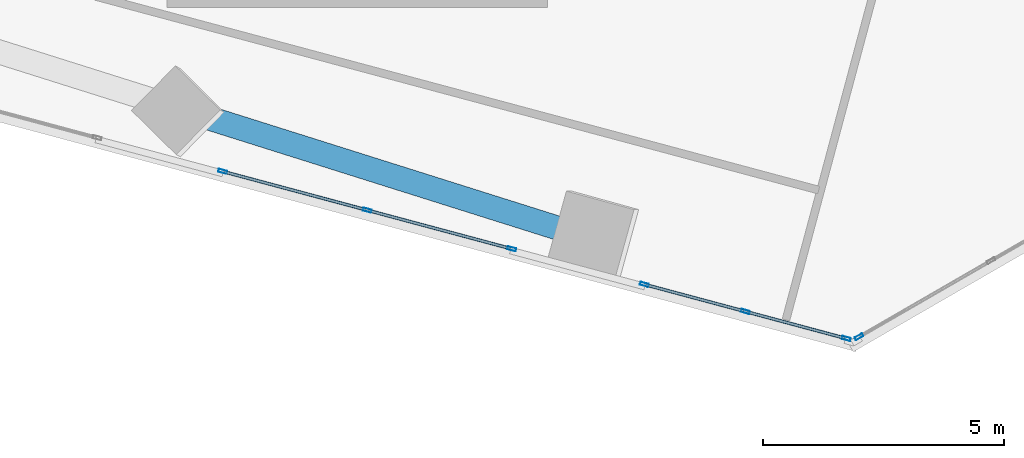
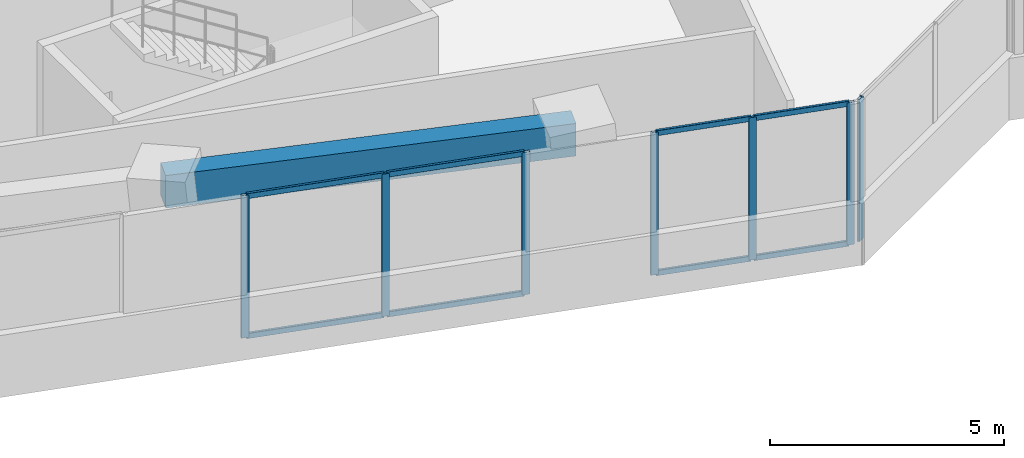
# One storey, part 5 of 27: 15 members, 1 beam, 3 elements without a shape of their own.
"""IFC4 building model written with IfcOpenShell, lengths in metres."""

from ifc_helpers import new_model, si_unit, direction, frame, origin, origin_2d, place, context, subcontext, project, spatial, rectangle, hollow_rectangle, extrude, source, transform, mapped, material, material_profile, profile_set, type_object, element, aggregate, save


model = new_model("IFC4")

# Units and contexts
model_context = context("Model", 3, precision=1e-05, world=origin(), true_north=direction((0.0, 1.0)))
body_context = subcontext(model_context, "Body", "Model", "MODEL_VIEW")
ifc_project = project(units=[si_unit("LENGTHUNIT", "METRE"), si_unit("AREAUNIT", "SQUARE_METRE"), si_unit("VOLUMEUNIT", "CUBIC_METRE"), si_unit("PLANEANGLEUNIT", "RADIAN"), si_unit("MASSUNIT", "GRAM", prefix="KILO")], contexts=[model_context])

# Site, building, storey
site_placement = place(None, origin())
site = spatial("IfcSite", under=ifc_project, at=site_placement, CompositionType="ELEMENT")
building_placement = place(site_placement, origin())
building = spatial("IfcBuilding", under=site, at=building_placement, Name="Torre Montelarca", CompositionType="ELEMENT")
storey_placement = place(building_placement, frame((0.0, 0.0, 108.39990234375)))
storey = spatial("IfcBuildingStorey", under=building, at=storey_placement, Name="L24", CompositionType="ELEMENT", Elevation=108.39990234375)

# Beam
ifc_material_1 = material(Name="Concrete C55/67", Category="concrete")
ifc_material_profile_1 = material_profile(ifc_material_1, rectangle(XDim=0.5, YDim=0.85009765625, at=origin_2d()), Name="RCB500X850", Category="concrete")
ifc_profile_set_1 = profile_set([ifc_material_profile_1], Name="Concrete C55/67")
beam_type = type_object("IfcBeamType", Name="BM-SP-RC850-EXT", PredefinedType="SPANDREL", material=ifc_profile_set_1)
shared_shape_1 = source(origin(), body_context, "Body", "SweptSolid", [
    extrude(rectangle(XDim=0.5, YDim=0.85009765625, at=origin_2d()), origin(), (0.0, 0.0, 1.0), 8.999755859375),
])
beam_placement = place(storey_placement, frame((12.989990234375, 16.6484375, 3.53515625), z_axis=(0.953716635826, -0.300706798308, 0.0), x_axis=(0.300706798308, 0.953716635826, 0.0)))
element("IfcBeam", 1, at=beam_placement, inside=storey, type_object=beam_type, Name="L24 Grid Girder X 18.0-27.0 at Y=14.8", PredefinedType="SPANDREL", context=body_context, shape_type="MappedRepresentation", body=[
    mapped(shared_shape_1, transform((0.0, 0.0, 0.0), scale=1.0)),
])

# Curtain wall, members
ifc_material_2 = material(Name="Insulated low-E laminated glass", Category="glass")
curtain_wall_type = type_object("IfcCurtainWallType", Name="CW-SYS-Z1", PredefinedType="USERDEFINED", material=ifc_material_2)
curtain_wall_1_placement = place(storey_placement, origin())
curtain_wall_1 = element("IfcCurtainWall", 2, at=curtain_wall_1_placement, inside=storey, type_object=curtain_wall_type, Name="L24 Curtain Wall Run CW-T3-L24-E01-B2", ObjectType="UNITISED GLAZING", PredefinedType="USERDEFINED")
ifc_material_3 = material(Name="Anodised aluminium AA 6063-T6", Category="aluminium")
ifc_material_profile_2 = material_profile(ifc_material_3, hollow_rectangle(XDim=0.06494140625, YDim=0.139892578125, WallThickness=0.00390625, InnerFilletRadius=0.00390625, OuterFilletRadius=0.008056640625, at=origin_2d()), Name="ALU65X140X4", Category="aluminium")
ifc_profile_set_2 = profile_set([ifc_material_profile_2], Name="Anodised aluminium AA 6063-T6")
member_type_1 = type_object("IfcMemberType", Name="CWT-ALU140", PredefinedType="USERDEFINED", material=ifc_profile_set_2)
shared_shape_2 = source(origin(), body_context, "Body", "SweptSolid", [
    extrude(hollow_rectangle(XDim=0.06494140625, YDim=0.139892578125, WallThickness=0.00390625, InnerFilletRadius=0.00390625, OuterFilletRadius=0.008056640625, at=origin_2d()), origin(), (0.0, 0.0, 1.0), 3.04443359375),
])
member_1_placement = place(storey_placement, frame((14.235107421875, 15.2392578125, 0.03271484375), z_axis=(0.965914759344, -0.258860343974, 0.0), x_axis=(0.258860343974, 0.965914759344, 0.0)))
member_1 = element("IfcMember", 3, at=member_1_placement, type_object=member_type_1, Name="CW transom 1.1", ObjectType="TRANSOM", PredefinedType="USERDEFINED", context=body_context, shape_type="MappedRepresentation", body=[
    mapped(shared_shape_2, transform((0.0, 0.0, 0.0), scale=1.0)),
])
member_2_placement = place(storey_placement, frame((14.235107421875, 15.2392578125, 3.6875), z_axis=(0.965914759344, -0.258860343974, 0.0), x_axis=(0.258860343974, 0.965914759344, 0.0)))
member_2 = element("IfcMember", 4, at=member_2_placement, type_object=member_type_1, Name="CW transom 1.2", ObjectType="TRANSOM", PredefinedType="USERDEFINED", context=body_context, shape_type="MappedRepresentation", body=[
    mapped(shared_shape_2, transform((0.0, 0.0, 0.0), scale=1.0)),
])
member_3_placement = place(storey_placement, frame((17.238525390625, 14.434326171875, 0.03271484375), z_axis=(0.965934807875, -0.25878552304, 0.0), x_axis=(0.25878552304, 0.965934807875, 0.0)))
member_3 = element("IfcMember", 5, at=member_3_placement, type_object=member_type_1, Name="CW transom 2.1", ObjectType="TRANSOM", PredefinedType="USERDEFINED", context=body_context, shape_type="MappedRepresentation", body=[
    mapped(shared_shape_2, transform((0.0, 0.0, 0.0), scale=1.0)),
])
member_4_placement = place(storey_placement, frame((17.238525390625, 14.434326171875, 3.6875), z_axis=(0.965934807875, -0.25878552304, 0.0), x_axis=(0.25878552304, 0.965934807875, 0.0)))
member_4 = element("IfcMember", 6, at=member_4_placement, type_object=member_type_1, Name="CW transom 2.2", ObjectType="TRANSOM", PredefinedType="USERDEFINED", context=body_context, shape_type="MappedRepresentation", body=[
    mapped(shared_shape_2, transform((0.0, 0.0, 0.0), scale=1.0)),
])

curtain_wall_2_placement = place(storey_placement, origin())
curtain_wall_2 = element("IfcCurtainWall", 7, at=curtain_wall_2_placement, inside=storey, type_object=curtain_wall_type, Name="L24 Curtain Wall Run CW-T3-L24-E01-B3", ObjectType="UNITISED GLAZING", PredefinedType="USERDEFINED")
shared_shape_3 = source(origin(), body_context, "Body", "SweptSolid", [
    extrude(hollow_rectangle(XDim=0.06494140625, YDim=0.139892578125, WallThickness=0.00390625, InnerFilletRadius=0.00390625, OuterFilletRadius=0.008056640625, at=origin_2d()), origin(), (0.0, 0.0, 1.0), 2.10546875),
])
member_5_placement = place(storey_placement, frame((25.094970703125, 12.329345703125, 0.03271484375), z_axis=(0.965926312525, -0.258817230439, 0.0), x_axis=(0.258817230439, 0.965926312525, 0.0)))
member_5 = element("IfcMember", 8, at=member_5_placement, type_object=member_type_1, Name="CW transom 2.1", ObjectType="TRANSOM", PredefinedType="USERDEFINED", context=body_context, shape_type="MappedRepresentation", body=[
    mapped(shared_shape_3, transform((0.0, 0.0, 0.0), scale=1.0)),
])
member_6_placement = place(storey_placement, frame((25.094970703125, 12.329345703125, 3.6875), z_axis=(0.965926312525, -0.258817230439, 0.0), x_axis=(0.258817230439, 0.965926312525, 0.0)))
member_6 = element("IfcMember", 9, at=member_6_placement, type_object=member_type_1, Name="CW transom 2.2", ObjectType="TRANSOM", PredefinedType="USERDEFINED", context=body_context, shape_type="MappedRepresentation", body=[
    mapped(shared_shape_3, transform((0.0, 0.0, 0.0), scale=1.0)),
])
shared_shape_4 = source(origin(), body_context, "Body", "SweptSolid", [
    extrude(hollow_rectangle(XDim=0.06494140625, YDim=0.139892578125, WallThickness=0.00390625, InnerFilletRadius=0.00390625, OuterFilletRadius=0.008056640625, at=origin_2d()), origin(), (0.0, 0.0, 1.0), 2.105224609375),
])
member_7_placement = place(storey_placement, frame((22.998779296875, 12.890869140625, 0.03271484375), z_axis=(0.965918543646, -0.258846222766, 0.0), x_axis=(0.258846222766, 0.965918543646, 0.0)))
member_7 = element("IfcMember", 10, at=member_7_placement, type_object=member_type_1, Name="CW transom 1.1", ObjectType="TRANSOM", PredefinedType="USERDEFINED", context=body_context, shape_type="MappedRepresentation", body=[
    mapped(shared_shape_4, transform((0.0, 0.0, 0.0), scale=1.0)),
])
member_8_placement = place(storey_placement, frame((22.998779296875, 12.890869140625, 3.6875), z_axis=(0.965918543646, -0.258846222766, 0.0), x_axis=(0.258846222766, 0.965918543646, 0.0)))
member_8 = element("IfcMember", 11, at=member_8_placement, type_object=member_type_1, Name="CW transom 1.2", ObjectType="TRANSOM", PredefinedType="USERDEFINED", context=body_context, shape_type="MappedRepresentation", body=[
    mapped(shared_shape_4, transform((0.0, 0.0, 0.0), scale=1.0)),
])

# Member
ifc_material_profile_3 = material_profile(ifc_material_3, hollow_rectangle(XDim=0.06494140625, YDim=0.179931640625, WallThickness=0.00390625, InnerFilletRadius=0.00390625, OuterFilletRadius=0.008056640625, at=origin_2d()), Name="ALU65X180X4", Category="aluminium")
ifc_profile_set_3 = profile_set([ifc_material_profile_3], Name="Anodised aluminium AA 6063-T6")
member_type_2 = type_object("IfcMemberType", Name="CWM-ALU180", PredefinedType="MULLION", material=ifc_profile_set_3)
shared_shape_5 = source(origin(), body_context, "Body", "SweptSolid", [
    extrude(hollow_rectangle(XDim=0.06494140625, YDim=0.179931640625, WallThickness=0.00390625, InnerFilletRadius=0.00390625, OuterFilletRadius=0.008056640625, at=origin_2d()), origin(), (0.0, 0.0, 1.0), 3.72021484375),
])
member_9_placement = place(storey_placement, frame((14.20361328125, 15.24755859375, 0.0), z_axis=(0.0, 0.0, 1.0), x_axis=(0.258823319308, 0.965924681009, 0.0)))
member_9 = element("IfcMember", 12, at=member_9_placement, type_object=member_type_2, Name="CW mullion 1", PredefinedType="MULLION", context=body_context, shape_type="MappedRepresentation", body=[
    mapped(shared_shape_5, transform((0.0, 0.0, 0.0), scale=1.0)),
])

member_10_placement = place(storey_placement, frame((17.20703125, 14.44287109375, 0.0), z_axis=(0.0, 0.0, 1.0), x_axis=(0.258823319308, 0.965924681009, 0.0)))
member_10 = element("IfcMember", 13, at=member_10_placement, type_object=member_type_2, Name="CW mullion 2", PredefinedType="MULLION", context=body_context, shape_type="MappedRepresentation", body=[
    mapped(shared_shape_5, transform((0.0, 0.0, 0.0), scale=1.0)),
])

member_11_placement = place(storey_placement, frame((20.210693359375, 13.637939453125, 0.0), z_axis=(0.0, 0.0, 1.0), x_axis=(0.258823319308, 0.965924681009, 0.0)))
member_11 = element("IfcMember", 14, at=member_11_placement, type_object=member_type_2, Name="CW mullion 3", PredefinedType="MULLION", context=body_context, shape_type="MappedRepresentation", body=[
    mapped(shared_shape_5, transform((0.0, 0.0, 0.0), scale=1.0)),
])

aggregate(curtain_wall_1, [member_9, member_10, member_11, member_1, member_2, member_3, member_4])

member_12_placement = place(storey_placement, frame((22.96728515625, 12.8994140625, 0.0), z_axis=(0.0, 0.0, 1.0), x_axis=(0.258822309935, 0.965924951474, 0.0)))
member_12 = element("IfcMember", 15, at=member_12_placement, type_object=member_type_2, Name="CW mullion 1", PredefinedType="MULLION", context=body_context, shape_type="MappedRepresentation", body=[
    mapped(shared_shape_5, transform((0.0, 0.0, 0.0), scale=1.0)),
])

member_13_placement = place(storey_placement, frame((25.063720703125, 12.337646484375, 0.0), z_axis=(0.0, 0.0, 1.0), x_axis=(0.258822309935, 0.965924951474, 0.0)))
member_13 = element("IfcMember", 16, at=member_13_placement, type_object=member_type_2, Name="CW mullion 2", PredefinedType="MULLION", context=body_context, shape_type="MappedRepresentation", body=[
    mapped(shared_shape_5, transform((0.0, 0.0, 0.0), scale=1.0)),
])

member_14_placement = place(storey_placement, frame((27.16015625, 11.77587890625, 0.0), z_axis=(0.0, 0.0, 1.0), x_axis=(0.258822309935, 0.965924951474, 0.0)))
member_14 = element("IfcMember", 17, at=member_14_placement, type_object=member_type_2, Name="CW mullion 3", PredefinedType="MULLION", context=body_context, shape_type="MappedRepresentation", body=[
    mapped(shared_shape_5, transform((0.0, 0.0, 0.0), scale=1.0)),
])

aggregate(curtain_wall_2, [member_12, member_13, member_14, member_7, member_8, member_5, member_6])

# Curtain wall, member
curtain_wall_3_placement = place(storey_placement, origin())
curtain_wall_3 = element("IfcCurtainWall", 18, at=curtain_wall_3_placement, inside=storey, type_object=curtain_wall_type, Name="L24 Curtain Wall Run CW-T3-L24-E02-B1", ObjectType="UNITISED GLAZING", PredefinedType="USERDEFINED")
member_15_placement = place(storey_placement, frame((27.4248046875, 11.810791015625, 0.0), z_axis=(0.0, 0.0, 1.0), x_axis=(-0.500001094386, 0.86602477194, 0.0)))
member_15 = element("IfcMember", 19, at=member_15_placement, type_object=member_type_2, Name="CW mullion 1", PredefinedType="MULLION", context=body_context, shape_type="MappedRepresentation", body=[
    mapped(shared_shape_5, transform((0.0, 0.0, 0.0), scale=1.0)),
])
aggregate(curtain_wall_3, [member_15])

save(model, "model.ifc")
